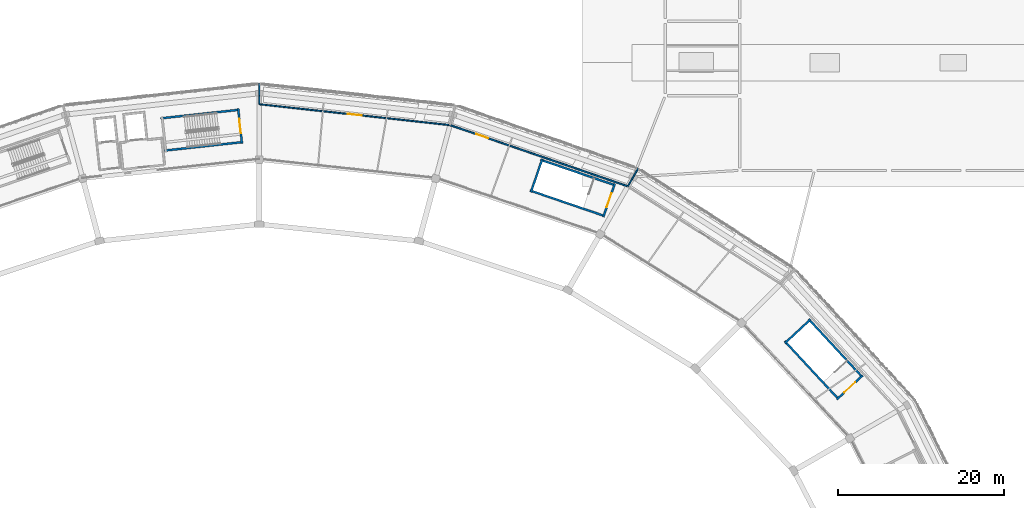
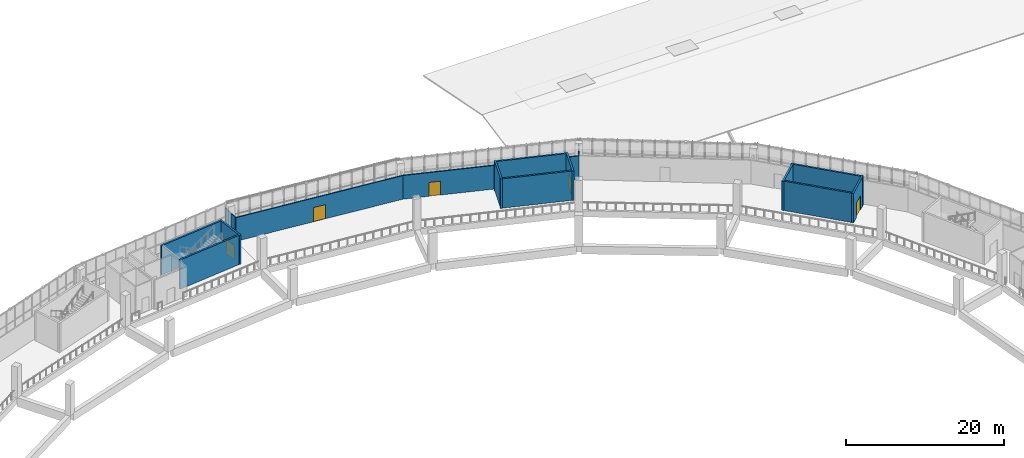
# One storey, part 73 of 108: 17 walls, 5 doors, 5 openings.
"""IFC4 building model written with IfcOpenShell, lengths in metres."""

from ifc_helpers import new_model, si_unit, direction, frame, frame_2d, origin, place, context, subcontext, project, spatial, rectangle, extrude, material, layer, layer_set, type_object, element, fill, save


model = new_model("IFC4")

# Units and contexts
model_context = context("Model", 3, precision=1e-05, world=origin(), true_north=direction((0.0, 1.0)))
body_context = subcontext(model_context, "Body", "Model", "MODEL_VIEW")
ifc_project = project(units=[si_unit("LENGTHUNIT", "METRE"), si_unit("AREAUNIT", "SQUARE_METRE"), si_unit("VOLUMEUNIT", "CUBIC_METRE"), si_unit("PLANEANGLEUNIT", "RADIAN"), si_unit("MASSUNIT", "GRAM", prefix="KILO")], contexts=[model_context])

# Site, building, storey
site_placement = place(None, origin())
site = spatial("IfcSite", under=ifc_project, at=site_placement, CompositionType="ELEMENT")
building_placement = place(site_placement, origin())
building = spatial("IfcBuilding", under=site, at=building_placement, Name="Zevraka Park Crest Stadium", CompositionType="ELEMENT")
storey_placement = place(building_placement, frame((0.0, 0.0, 19.800048828125)))
storey = spatial("IfcBuildingStorey", under=building, at=storey_placement, Name="L04", CompositionType="ELEMENT", Elevation=19.800048828125)

# Walls
ifc_material_1 = material(Name="Fire-rated twin-stud acoustic drywall", Category="other")
ifc_layer_1 = layer(ifc_material_1, 0.159912109375)
ifc_layer_set_1 = layer_set([ifc_layer_1], Name="Fire-rated twin-stud acoustic drywall")
wall_type_1 = type_object("IfcWallType", Name="IW02", PredefinedType="PARTITIONING", material=ifc_layer_set_1)
wall_1_placement = place(storey_placement, frame((156.489990234375, 156.069091796875, 0.0), z_axis=(0.0, 0.0, 1.0), x_axis=(0.499959518541, 0.866048774504, 0.0)))
element("IfcWall", 1, at=wall_1_placement, inside=storey, type_object=wall_type_1, Name="Interior Partition IW02 Presidential Reception Suite L04", PredefinedType="PARTITIONING", context=body_context, shape_type="SweptSolid", body=[
    extrude(rectangle(XDim=1.01025390625, YDim=0.159912109375, at=frame_2d((0.505126953125, 0.0))), origin(), (0.0, 0.0, 1.0), 3.6650390625),
])
wall_2_placement = place(storey_placement, frame((156.988037109375, 156.930908203125, 0.0), z_axis=(0.0, 0.0, 1.0), x_axis=(0.499911951544, 0.866076232617, 0.0)))
element("IfcWall", 2, at=wall_2_placement, inside=storey, type_object=wall_type_1, Name="Interior Partition IW02 Presidential Reception Suite L04", PredefinedType="PARTITIONING", context=body_context, shape_type="SweptSolid", body=[
    extrude(rectangle(XDim=1.524169921875, YDim=0.159912109375, at=frame_2d((0.76220703125, 0.0))), origin(), (0.0, 0.0, 1.0), 3.6650390625),
])

# Wall, opening, door
wall_3_placement = place(storey_placement, frame((135.030029296875, 163.458984375, 0.0), z_axis=(0.0, 0.0, 1.0), x_axis=(-0.994061953131, 0.108815593262, 0.0)))
wall_3 = element("IfcWall", 3, at=wall_3_placement, inside=storey, type_object=wall_type_1, Name="Interior Partition IW02 Presidential Reception Suite L04", PredefinedType="PARTITIONING", context=body_context, shape_type="SweptSolid", body=[
    extrude(rectangle(XDim=23.16748046875, YDim=0.159912109375, at=frame_2d((11.583740234375, 0.0))), origin(), (0.0, 0.0, 1.0), 3.6650390625),
])
opening_1_placement = place(wall_3_placement, frame((10.73388671875, 0.0, 0.0)))
opening_1 = element("IfcOpeningElement", 4, at=opening_1_placement, cuts=wall_3, Name="Opening D-L04-476", PredefinedType="OPENING", context=body_context, shape_type="SweptSolid", body=[
    extrude(rectangle(XDim=1.699951171875, YDim=2.199951171875, at=frame_2d((0.85009765625, 1.10009765625))), frame((0.0, 0.08984375, 0.0), z_axis=(0.0, -1.0, 0.0), x_axis=(1.0, 0.0, 0.0)), (0.0, 0.0, 1.0), 0.179931640625),
])
ifc_material_2 = material(Name="Solid-core hardwood timber leaf in steel frame", Category="steel")
door_type_1 = type_object("IfcDoorType", Name="DR14", OperationType="NOTDEFINED", PredefinedType="DOOR", material=ifc_material_2)
door_1_placement = place(opening_1_placement, origin())
door_1 = element("IfcDoor", 5, at=door_1_placement, inside=storey, type_object=door_type_1, Name="Presidential Reception Suite Door D-L04-476", OperationType="DOUBLE_DOOR_SINGLE_SWING", OverallHeight=2.199951171875, OverallWidth=1.699951171875, PredefinedType="DOOR", context=body_context, shape_type="SweptSolid", body=[
    extrude(rectangle(XDim=1.699951171875, YDim=2.199951171875, at=frame_2d((0.85009765625, 1.10009765625))), frame((0.0, 0.02490234375, 0.0), z_axis=(0.0, -1.0, 0.0), x_axis=(1.0, 0.0, 0.0)), (0.0, 0.0, 1.0), 0.050048828125),
])
fill(opening_1, door_1)

# Walls
wall_4_placement = place(storey_placement, frame((112.0, 165.97998046875, 0.0), z_axis=(0.0, 0.0, 1.0), x_axis=(0.0, 1.0, 0.0)))
element("IfcWall", 6, at=wall_4_placement, inside=storey, type_object=wall_type_1, Name="Interior Partition IW02 Presidential Reception Suite L04", PredefinedType="PARTITIONING", context=body_context, shape_type="SweptSolid", body=[
    extrude(rectangle(XDim=1.010009765625, YDim=0.159912109375, at=frame_2d((0.5048828125, 0.0))), origin(), (0.0, 0.0, 1.0), 3.6650390625),
])
wall_5_placement = place(storey_placement, frame((112.0, 166.97509765625, 0.0), z_axis=(0.0, 0.0, 1.0), x_axis=(0.0, 1.0, 0.0)))
element("IfcWall", 7, at=wall_5_placement, inside=storey, type_object=wall_type_1, Name="Interior Partition IW02 Presidential Reception Suite L04", PredefinedType="PARTITIONING", context=body_context, shape_type="SweptSolid", body=[
    extrude(rectangle(XDim=1.52490234375, YDim=0.159912109375, at=frame_2d((0.762451171875, 0.0))), origin(), (0.0, 0.0, 1.0), 3.6650390625),
])

# Wall, opening, door
ifc_material_3 = material(Name="Fire-rated twin-stud acoustic drywall", Category="other")
ifc_layer_2 = layer(ifc_material_3, 0.179931640625)
ifc_layer_set_2 = layer_set([ifc_layer_2], Name="Fire-rated twin-stud acoustic drywall")
wall_type_2 = type_object("IfcWallType", Name="IW06", PredefinedType="PARTITIONING", material=ifc_layer_set_2)
wall_6_placement = place(storey_placement, frame((156.489990234375, 156.069091796875, 0.0), z_axis=(0.0, 0.0, 1.0), x_axis=(-0.945509956828, 0.32559318411, 0.0)))
wall_6 = element("IfcWall", 8, at=wall_6_placement, inside=storey, type_object=wall_type_2, Name="Interior Partition IW06 Presidential Reception Suite L04", PredefinedType="PARTITIONING", context=body_context, shape_type="SweptSolid", body=[
    extrude(rectangle(XDim=22.69677734375, YDim=0.179931640625, at=frame_2d((11.348388671875, 0.0))), origin(), (0.0, 0.0, 1.0), 3.6650390625),
])
opening_2_placement = place(wall_6_placement, frame((17.84912109375, 0.0, 0.0)))
opening_2 = element("IfcOpeningElement", 9, at=opening_2_placement, cuts=wall_6, Name="Opening D-L04-475", PredefinedType="OPENING", context=body_context, shape_type="SweptSolid", body=[
    extrude(rectangle(XDim=1.5, YDim=2.14990234375, at=frame_2d((0.75, 1.074951171875))), frame((0.0, 0.099853515625, 0.0), z_axis=(0.0, -1.0, 0.0), x_axis=(1.0, 0.0, 0.0)), (0.0, 0.0, 1.0), 0.199951171875),
])
ifc_material_4 = material(Name="Solid-core hardwood timber leaf in steel frame", Category="steel")
door_type_2 = type_object("IfcDoorType", Name="DR13", OperationType="NOTDEFINED", PredefinedType="DOOR", material=ifc_material_4)
door_2_placement = place(opening_2_placement, origin())
door_2 = element("IfcDoor", 10, at=door_2_placement, inside=storey, type_object=door_type_2, Name="Presidential Reception Suite Door D-L04-475", OperationType="DOUBLE_DOOR_SINGLE_SWING", OverallHeight=2.14990234375, OverallWidth=1.5, PredefinedType="DOOR", context=body_context, shape_type="SweptSolid", body=[
    extrude(rectangle(XDim=1.5, YDim=2.14990234375, at=frame_2d((0.75, 1.074951171875))), frame((0.0, 0.02490234375, 0.0), z_axis=(0.0, -1.0, 0.0), x_axis=(1.0, 0.0, 0.0)), (0.0, 0.0, 1.0), 0.050048828125),
])
fill(opening_2, door_2)

# Walls
ifc_material_5 = material(Name="Concrete C40/50", Category="concrete")
ifc_layer_3 = layer(ifc_material_5, 0.25)
ifc_layer_set_3 = layer_set([ifc_layer_3], Name="Concrete C40/50")
wall_type_3 = type_object("IfcWallType", Name="SW01", PredefinedType="SHEAR", material=ifc_layer_set_3)
for number, where, z_axis, x_axis, name in (
    (11, (184.8017578125, 133.047119140625, 0.0), (0.0, 0.0, 1.0), (-0.680258890476, 0.732971924379, 0.0), "Stair Core Shear Wall SW01 ST03 L04 left"),
    (12, (175.431884765625, 137.38037109375, 0.0), (0.0, 0.0, 1.0), (0.680271637111, -0.732960094236, 0.0), "Stair Core Shear Wall SW01 ST03 L04 right"),
):
    element("IfcWall", number, at=place(storey_placement, frame(where, z_axis=z_axis, x_axis=x_axis)), inside=storey, type_object=wall_type_3, Name=name, PredefinedType="SHEAR", context=body_context, shape_type="SweptSolid", body=[
        extrude(rectangle(XDim=9.550048828125, YDim=0.25, at=frame_2d((4.77490234375, 0.0))), origin(), (0.0, 0.0, 1.0), 4.5400390625),
    ])

# Wall, opening, door
wall_7_placement = place(storey_placement, frame((181.71875, 130.3564453125, 0.0), z_axis=(0.0, 0.0, 1.0), x_axis=(0.732977166505, 0.680253242096, 0.0)))
wall_7 = element("IfcWall", 13, at=wall_7_placement, inside=storey, type_object=wall_type_3, Name="Stair Core Shear Wall SW01 ST03 L04 near", PredefinedType="SHEAR", context=body_context, shape_type="SweptSolid", body=[
    extrude(rectangle(XDim=4.260009765625, YDim=0.25, at=frame_2d((2.1298828125, 0.0))), origin(), (0.0, 0.0, 1.0), 4.5400390625),
])
opening_3_placement = place(wall_7_placement, frame((1.22998046875, 0.0, 0.0)))
opening_3 = element("IfcOpeningElement", 14, at=opening_3_placement, cuts=wall_7, Name="Opening D-L04-020", PredefinedType="OPENING", context=body_context, shape_type="SweptSolid", body=[
    extrude(rectangle(XDim=1.800048828125, YDim=2.25, at=frame_2d((0.89990234375, 1.125))), frame((0.0, 0.135009765625, 0.0), z_axis=(0.0, -1.0, 0.0), x_axis=(1.0, 0.0, 0.0)), (0.0, 0.0, 1.0), 0.27001953125),
])
ifc_material_6 = material(Name="Solid-core hardwood timber leaf in steel frame", Category="steel")
door_type_3 = type_object("IfcDoorType", Name="DR04", OperationType="NOTDEFINED", PredefinedType="DOOR", material=ifc_material_6)
door_3_placement = place(opening_3_placement, origin())
door_3 = element("IfcDoor", 15, at=door_3_placement, inside=storey, type_object=door_type_3, Name="Protected Stair Entry Door ST03 L04", OperationType="DOUBLE_DOOR_SINGLE_SWING", OverallHeight=2.25, OverallWidth=1.800048828125, PredefinedType="DOOR", context=body_context, shape_type="SweptSolid", body=[
    extrude(rectangle(XDim=1.800048828125, YDim=2.25, at=frame_2d((0.89990234375, 1.125))), frame((0.0, 0.02490234375, 0.0), z_axis=(0.0, -1.0, 0.0), x_axis=(1.0, 0.0, 0.0)), (0.0, 0.0, 1.0), 0.050048828125),
])
fill(opening_3, door_3)

# Walls
wall_8_placement = place(storey_placement, frame((178.5556640625, 140.027099609375, 0.0), z_axis=(0.0, 0.0, 1.0), x_axis=(-0.73295064559, -0.680281817433, 0.0)))
element("IfcWall", 16, at=wall_8_placement, inside=storey, type_object=wall_type_3, Name="Stair Core Shear Wall SW01 ST03 L04 far", PredefinedType="SHEAR", context=body_context, shape_type="SweptSolid", body=[
    extrude(rectangle(XDim=4.260009765625, YDim=0.25, at=frame_2d((2.1298828125, 0.0))), origin(), (0.0, 0.0, 1.0), 4.5400390625),
])
for number, where, z_axis, x_axis, name in (
    (17, (154.976318359375, 156.190673828125, 0.0), (0.0, 0.0, 1.0), (-0.946064424228, 0.323978556712, 0.0), "Stair Core Shear Wall SW01 ST05 L04 left"),
    (18, (144.671630859375, 155.576171875, 0.0), (0.0, 0.0, 1.0), (0.946064424228, -0.323978556712, 0.0), "Stair Core Shear Wall SW01 ST05 L04 right"),
):
    element("IfcWall", number, at=place(storey_placement, frame(where, z_axis=z_axis, x_axis=x_axis)), inside=storey, type_object=wall_type_3, Name=name, PredefinedType="SHEAR", context=body_context, shape_type="SweptSolid", body=[
        extrude(rectangle(XDim=9.550048828125, YDim=0.25, at=frame_2d((4.77490234375, 0.0))), origin(), (0.0, 0.0, 1.0), 4.5400390625),
    ])

# Wall, opening, door
wall_9_placement = place(storey_placement, frame((153.533203125, 152.36181640625, 0.0), z_axis=(0.0, 0.0, 1.0), x_axis=(0.323971192516, 0.946066946056, 0.0)))
wall_9 = element("IfcWall", 19, at=wall_9_placement, inside=storey, type_object=wall_type_3, Name="Stair Core Shear Wall SW01 ST05 L04 near", PredefinedType="SHEAR", context=body_context, shape_type="SweptSolid", body=[
    extrude(rectangle(XDim=4.260009765625, YDim=0.25, at=frame_2d((2.1298828125, 0.0))), origin(), (0.0, 0.0, 1.0), 4.5400390625),
])
opening_4_placement = place(wall_9_placement, frame((1.22998046875, 0.0, 0.0)))
opening_4 = element("IfcOpeningElement", 20, at=opening_4_placement, cuts=wall_9, Name="Opening D-L04-031", PredefinedType="OPENING", context=body_context, shape_type="SweptSolid", body=[
    extrude(rectangle(XDim=1.800048828125, YDim=2.25, at=frame_2d((0.89990234375, 1.125))), frame((0.0, 0.135009765625, 0.0), z_axis=(0.0, -1.0, 0.0), x_axis=(1.0, 0.0, 0.0)), (0.0, 0.0, 1.0), 0.27001953125),
])
door_4_placement = place(opening_4_placement, origin())
door_4 = element("IfcDoor", 21, at=door_4_placement, inside=storey, type_object=door_type_3, Name="Protected Stair Entry Door ST05 L04", OperationType="DOUBLE_DOOR_SINGLE_SWING", OverallHeight=2.25, OverallWidth=1.800048828125, PredefinedType="DOOR", context=body_context, shape_type="SweptSolid", body=[
    extrude(rectangle(XDim=1.800048828125, YDim=2.25, at=frame_2d((0.89990234375, 1.125))), frame((0.0, 0.02490234375, 0.0), z_axis=(0.0, -1.0, 0.0), x_axis=(1.0, 0.0, 0.0)), (0.0, 0.0, 1.0), 0.050048828125),
])
fill(opening_4, door_4)

# Walls
wall_10_placement = place(storey_placement, frame((146.171630859375, 159.385498046875, 0.0), z_axis=(0.0, 0.0, 1.0), x_axis=(-0.323971192516, -0.946066946056, 0.0)))
element("IfcWall", 22, at=wall_10_placement, inside=storey, type_object=wall_type_3, Name="Stair Core Shear Wall SW01 ST05 L04 far", PredefinedType="SHEAR", context=body_context, shape_type="SweptSolid", body=[
    extrude(rectangle(XDim=4.260009765625, YDim=0.25, at=frame_2d((2.1298828125, 0.0))), origin(), (0.0, 0.0, 1.0), 4.5400390625),
])
for number, where, z_axis, x_axis, name in (
    (23, (109.602783203125, 165.310546875, 0.0), (0.0, 0.0, 1.0), (-0.994127555169, -0.108214620337, 0.0), "Stair Core Shear Wall SW01 ST07 L04 left"),
    (24, (100.533203125, 160.380126953125, 0.0), (0.0, 0.0, 1.0), (0.994127555169, 0.108214620337, 0.0), "Stair Core Shear Wall SW01 ST07 L04 right"),
):
    element("IfcWall", number, at=place(storey_placement, frame(where, z_axis=z_axis, x_axis=x_axis)), inside=storey, type_object=wall_type_3, Name=name, PredefinedType="SHEAR", context=body_context, shape_type="SweptSolid", body=[
        extrude(rectangle(XDim=9.550048828125, YDim=0.25, at=frame_2d((4.77490234375, 0.0))), origin(), (0.0, 0.0, 1.0), 4.5400390625),
    ])

# Wall, opening, door
wall_11_placement = place(storey_placement, frame((109.921142578125, 161.23095703125, 0.0), z_axis=(0.0, 0.0, 1.0), x_axis=(-0.108198315262, 0.994129329903, 0.0)))
wall_11 = element("IfcWall", 25, at=wall_11_placement, inside=storey, type_object=wall_type_3, Name="Stair Core Shear Wall SW01 ST07 L04 near", PredefinedType="SHEAR", context=body_context, shape_type="SweptSolid", body=[
    extrude(rectangle(XDim=4.260009765625, YDim=0.25, at=frame_2d((2.1298828125, 0.0))), origin(), (0.0, 0.0, 1.0), 4.5400390625),
])
opening_5_placement = place(wall_11_placement, frame((1.22998046875, 0.0, 0.0)))
opening_5 = element("IfcOpeningElement", 26, at=opening_5_placement, cuts=wall_11, Name="Opening D-L04-042", PredefinedType="OPENING", context=body_context, shape_type="SweptSolid", body=[
    extrude(rectangle(XDim=1.800048828125, YDim=2.25, at=frame_2d((0.89990234375, 1.125))), frame((0.0, 0.135009765625, 0.0), z_axis=(0.0, -1.0, 0.0), x_axis=(1.0, 0.0, 0.0)), (0.0, 0.0, 1.0), 0.27001953125),
])
door_5_placement = place(opening_5_placement, origin())
door_5 = element("IfcDoor", 27, at=door_5_placement, inside=storey, type_object=door_type_3, Name="Protected Stair Entry Door ST07 L04", OperationType="DOUBLE_DOOR_SINGLE_SWING", OverallHeight=2.25, OverallWidth=1.800048828125, PredefinedType="DOOR", context=body_context, shape_type="SweptSolid", body=[
    extrude(rectangle(XDim=1.800048828125, YDim=2.25, at=frame_2d((0.89990234375, 1.125))), frame((0.0, 0.02490234375, 0.0), z_axis=(0.0, -1.0, 0.0), x_axis=(1.0, 0.0, 0.0)), (0.0, 0.0, 1.0), 0.050048828125),
])
fill(opening_5, door_5)

save(model, "model.ifc")
